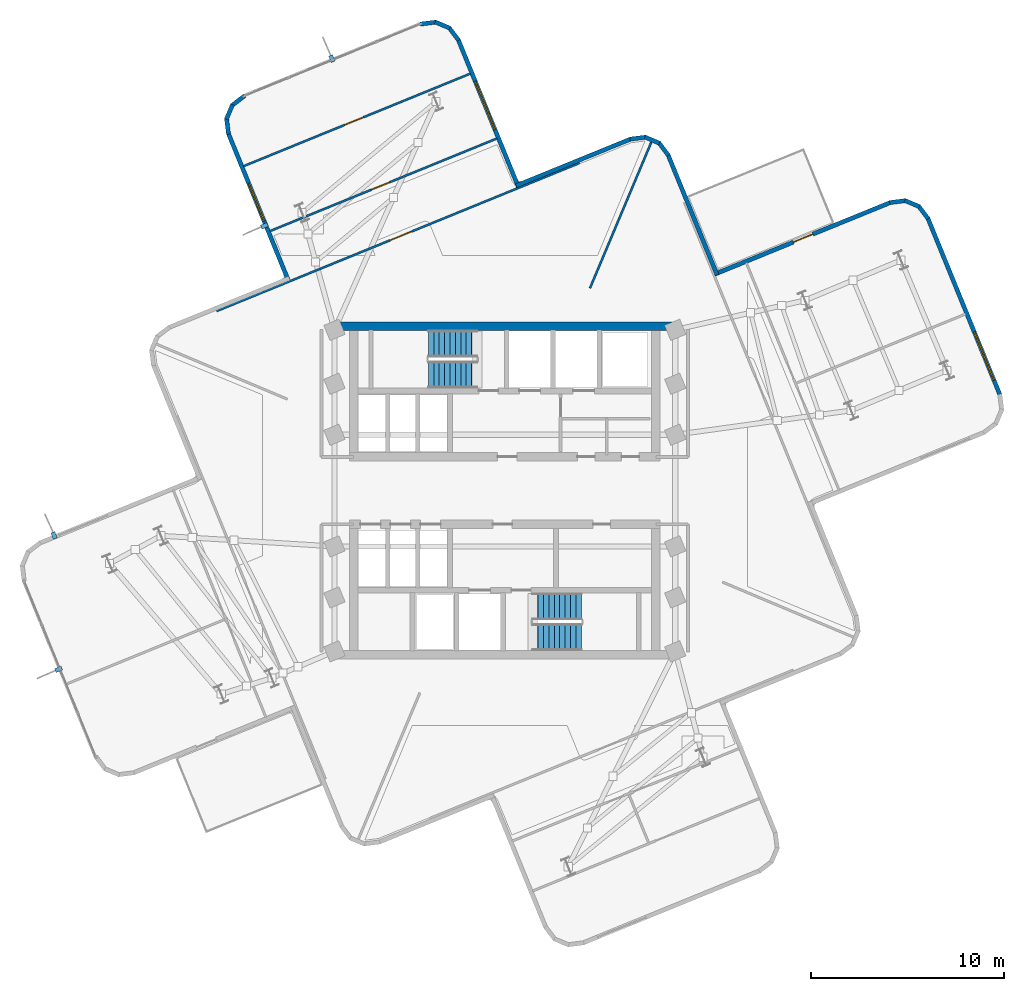
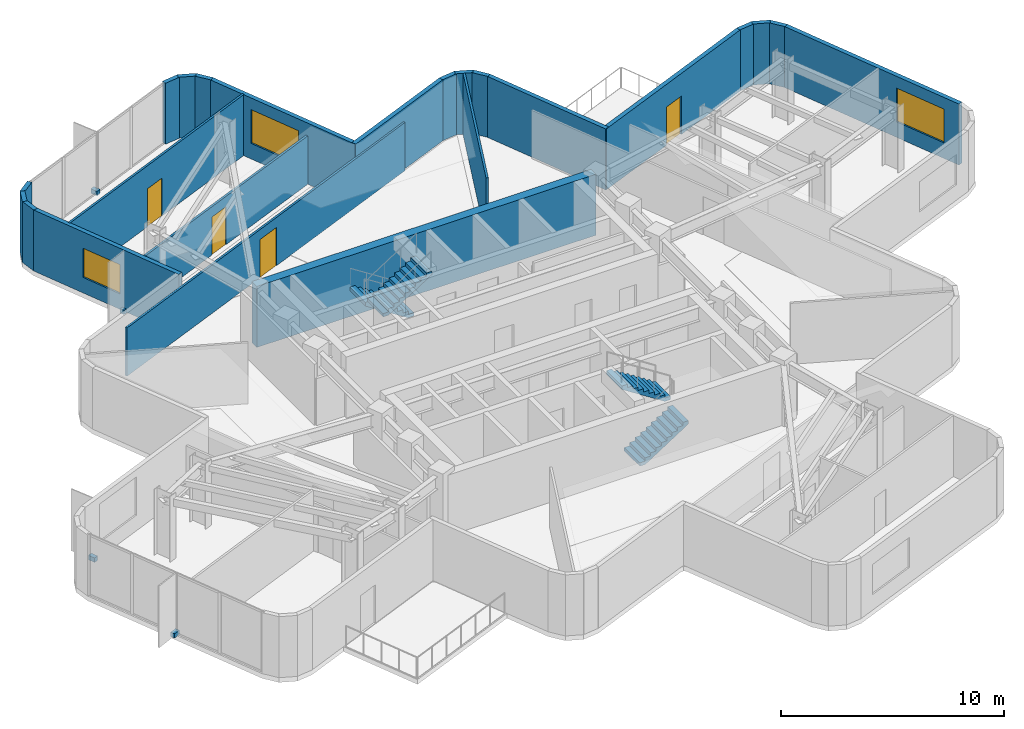
# One storey, part 8 of 11: 23 walls, 4 discrete accessories, 4 doors, 4 stair flights, 3 windows, 7 openings, 2 elements without a shape of their own.
"""IFC4 building model written with IfcOpenShell, lengths in metres."""

import ifcopenshell
import ifcopenshell.guid

model = None  # the IFC model being written
_history = None  # IfcOwnerHistory: only IFC2X3 demands one
_inside = {}  # id of a spatial element -> (the spatial element, [elements in it])
_under = {}  # id of a project, library or spatial element -> (it, [spatial elements below it])
_declared = {}  # id of a project -> (the project, [libraries it declares])
_typed = {}  # id of a type object -> (the type object, [elements of that type])
_made_of = {}  # id of a material, layer set ... -> (it, [elements and type objects made of it])


def new_model(schema):
    """Start an empty IFC model of exactly this schema.

    Asked for "IFC4X3", IfcOpenShell would pick the latest addendum, in which some entities
    have other attributes; the version numbers below select the first issue.
    IFC2X3 requires an IfcOwnerHistory on every rooted entity: one is made here for all.
    """
    global model, _history
    if schema == "IFC4X3":
        model = ifcopenshell.file(schema_version=(4, 3, 0, 0))
    else:
        model = ifcopenshell.file(schema=schema)
    _inside.clear()
    _under.clear()
    _declared.clear()
    _typed.clear()
    _made_of.clear()
    _history = None
    if model.schema == "IFC2X3":
        org = make("IfcOrganization", Name="unknown")
        user = make(
            "IfcPersonAndOrganization",
            ThePerson=make("IfcPerson", FamilyName="unknown"),
            TheOrganization=org,
        )
        app = make(
            "IfcApplication",
            ApplicationDeveloper=org,
            Version="unknown",
            ApplicationFullName="unknown",
            ApplicationIdentifier="unknown",
        )
        _history = make(
            "IfcOwnerHistory",
            OwningUser=user,
            OwningApplication=app,
            ChangeAction="ADDED",
            CreationDate=0,
        )
    return model


def make(cls, **values):
    """One entity of the class cls with the attributes given. An attribute that is None is left unset."""
    return model.create_entity(
        cls, **{name: value for name, value in values.items() if value is not None}
    )


def rooted(cls, **values):
    """An entity with a GlobalId (a new one), such as an element, a storey or a relation."""
    return make(cls, GlobalId=ifcopenshell.guid.new(), OwnerHistory=_history, **values)


def si_unit(unit_type, name, prefix=None):
    """IfcSIUnit, for example si_unit("LENGTHUNIT", "METRE", prefix="MILLI")."""
    return make("IfcSIUnit", UnitType=unit_type, Prefix=prefix, Name=name)


def assignment(units):
    """IfcUnitAssignment: the units of a project."""
    return None if units is None else make("IfcUnitAssignment", Units=units)


def point(xyz):
    """IfcCartesianPoint."""
    return None if xyz is None else make("IfcCartesianPoint", Coordinates=xyz)


def direction(xyz):
    """IfcDirection."""
    return None if xyz is None else make("IfcDirection", DirectionRatios=xyz)


def frame(location, z_axis=None, x_axis=None):
    """IfcAxis2Placement3D, a coordinate frame: its origin and axes. An axis left out is left unset."""
    return make(
        "IfcAxis2Placement3D",
        Location=point(location),
        Axis=direction(z_axis),
        RefDirection=direction(x_axis),
    )


def frame_2d(location, x_axis=None):
    """IfcAxis2Placement2D, a coordinate frame in the plane: its origin and x axis."""
    return make(
        "IfcAxis2Placement2D", Location=point(location), RefDirection=direction(x_axis)
    )


def origin():
    """The frame at (0, 0, 0) with its axes left unset."""
    return frame((0.0, 0.0, 0.0))


def origin_2d():
    """The frame at (0, 0) in the plane with its x axis left unset."""
    return frame_2d((0.0, 0.0))


def place(relative_to, where):
    """IfcLocalPlacement: puts the frame where relative to a parent placement (None: the world)."""
    return make(
        "IfcLocalPlacement", PlacementRelTo=relative_to, RelativePlacement=where
    )


def context(
    kind, dimensions, precision=None, world=None, true_north=None, identifier=None
):
    """IfcGeometricRepresentationContext, for example the 3D "Model" context."""
    return make(
        "IfcGeometricRepresentationContext",
        ContextIdentifier=identifier,
        ContextType=kind,
        CoordinateSpaceDimension=dimensions,
        Precision=precision,
        WorldCoordinateSystem=world,
        TrueNorth=true_north,
    )


def subcontext(parent, identifier, kind, view, scale=None):
    """IfcGeometricRepresentationSubContext, for example "Body" below "Model"."""
    return make(
        "IfcGeometricRepresentationSubContext",
        ContextIdentifier=identifier,
        ContextType=kind,
        ParentContext=parent,
        TargetScale=scale,
        TargetView=view,
    )


def project(units=None, contexts=None):
    """IfcProject with its units and contexts."""
    return rooted(
        "IfcProject",
        Name="project",
        RepresentationContexts=contexts,
        UnitsInContext=assignment(units),
    )


def spatial(cls, under=None, at=None, **own):
    """A site, building, storey or space (cls), placed at a placement, below another one or the project."""
    s = rooted(cls, ObjectPlacement=at, **own)
    if under is not None:
        _under.setdefault(under.id(), (under, []))[1].append(s)
    return s


def polyline(points):
    """IfcPolyline through the points."""
    return make("IfcPolyline", Points=[point(p) for p in points])


def profile(cls, at=None, kind="AREA", **sizes):
    """A parametric profile (cls). Its sizes go by their IFC names, for example OverallWidth=200.0."""
    return make(cls, ProfileType=kind, Position=at, **sizes)


def rectangle(**sizes):
    """IfcRectangleProfileDef."""
    return profile("IfcRectangleProfileDef", **sizes)


def outline(outer, holes=None, kind="AREA"):
    """IfcArbitraryClosedProfileDef: a profile drawn as a closed curve; with holes, ...WithVoids."""
    if holes is None:
        return make("IfcArbitraryClosedProfileDef", ProfileType=kind, OuterCurve=outer)
    return make(
        "IfcArbitraryProfileDefWithVoids",
        ProfileType=kind,
        OuterCurve=outer,
        InnerCurves=holes,
    )


def extrude(swept, where, along, depth):
    """IfcExtrudedAreaSolid: the profile swept, set in the frame where, extruded along a direction by depth."""
    return make(
        "IfcExtrudedAreaSolid",
        SweptArea=swept,
        Position=where,
        ExtrudedDirection=direction(along),
        Depth=depth,
    )


def shape(context_of_items, identifier, shape_type, items):
    """IfcShapeRepresentation: the items that make up one representation, for example the "Body"."""
    return make(
        "IfcShapeRepresentation",
        ContextOfItems=context_of_items,
        RepresentationIdentifier=identifier,
        RepresentationType=shape_type,
        Items=items,
    )


def material(Name=None, Category=None):
    """IfcMaterial."""
    return make("IfcMaterial", Name=Name, Category=Category)


def layer(
    of_material, thickness, ventilated=None, Name=None, Category=None, Priority=None
):
    """IfcMaterialLayer: one layer of a wall or slab, of a material (None: an air gap)."""
    return make(
        "IfcMaterialLayer",
        Material=of_material,
        LayerThickness=thickness,
        IsVentilated=ventilated,
        Name=Name,
        Category=Category,
        Priority=Priority,
    )


def layer_set(layers, Name=None):
    """IfcMaterialLayerSet."""
    return make("IfcMaterialLayerSet", MaterialLayers=layers, LayerSetName=Name)


def made_of(thing, what):
    """Note that an element or type object is made of a material, layer set ...; save() writes the relation."""
    if what is not None:
        _made_of.setdefault(what.id(), (what, []))[1].append(thing)
    return thing


def type_object(cls, material=None, **own):
    """A type object (cls), such as IfcWallType, which elements share."""
    return made_of(rooted(cls, **own), material)


def element(
    cls,
    number,
    at=None,
    inside=None,
    cuts=None,
    type_object=None,
    material=None,
    context=None,
    identifier="Body",
    shape_type=None,
    held_by="IfcProductDefinitionShape",
    body=None,
    shapes=None,
    **own,
):
    """One element of the class cls, such as IfcWall. Its Tag is "e" and its number.

    at: its placement. inside: the storey or other place that contains it. cuts: it is an
    opening in that element (IfcRelVoidsElement). A single representation is given by context,
    identifier, shape_type and body (its items); several are given by shapes. held_by: the class
    of the entity that holds the representations. save() writes the other relations.
    """
    e = rooted(cls, Tag="e%d" % number, ObjectPlacement=at, **own)
    if body is not None:
        shapes = [shape(context, identifier, shape_type, body)]
    if shapes is not None:
        e.Representation = make(held_by, Representations=shapes)
    if inside is not None:
        _inside.setdefault(inside.id(), (inside, []))[1].append(e)
    if cuts is not None:
        rooted(
            "IfcRelVoidsElement", RelatingBuildingElement=cuts, RelatedOpeningElement=e
        )
    if type_object is not None:
        _typed.setdefault(type_object.id(), (type_object, []))[1].append(e)
    return made_of(e, material)


def fill(opening, filler):
    """IfcRelFillsElement: the door or window that sits in an opening."""
    return rooted(
        "IfcRelFillsElement",
        RelatingOpeningElement=opening,
        RelatedBuildingElement=filler,
    )


def aggregate(whole, parts):
    """IfcRelAggregates: a whole, such as a stair, and the parts it consists of."""
    return rooted("IfcRelAggregates", RelatingObject=whole, RelatedObjects=parts)


def save(model, path):
    """Write the relations noted so far, then the file.

    IfcRelAggregates (storeys below a building ...), IfcRelContainedInSpatialStructure (elements
    in a storey), IfcRelDefinesByType, IfcRelAssociatesMaterial and IfcRelDeclares: one each for
    every whole, place, type object, material and project.
    """
    for whole, parts in _under.values():
        aggregate(whole, parts)
    for where, things in _inside.values():
        rooted(
            "IfcRelContainedInSpatialStructure",
            RelatedElements=things,
            RelatingStructure=where,
        )
    for kind, things in _typed.values():
        rooted("IfcRelDefinesByType", RelatedObjects=things, RelatingType=kind)
    for what, things in _made_of.values():
        rooted("IfcRelAssociatesMaterial", RelatedObjects=things, RelatingMaterial=what)
    for by, libraries in _declared.values():
        rooted("IfcRelDeclares", RelatingContext=by, RelatedDefinitions=libraries)
    model.write(path)


model = new_model("IFC4")

# Units and contexts
model_context = context("Model", 3, precision=1e-05, world=origin(), true_north=direction((0.0, 1.0)))
body_context = subcontext(model_context, "Body", "Model", "MODEL_VIEW")
ifc_project = project(units=[si_unit("LENGTHUNIT", "METRE"), si_unit("AREAUNIT", "SQUARE_METRE"), si_unit("VOLUMEUNIT", "CUBIC_METRE"), si_unit("PLANEANGLEUNIT", "RADIAN"), si_unit("MASSUNIT", "GRAM", prefix="KILO")], contexts=[model_context])

# Site, building, storey
site_placement = place(None, origin())
site = spatial("IfcSite", under=ifc_project, at=site_placement, CompositionType="ELEMENT")
building_placement = place(site_placement, origin())
building = spatial("IfcBuilding", under=site, at=building_placement, Name="Solmarez Civic Tower", CompositionType="ELEMENT")
storey_placement = place(building_placement, frame((0.0, 0.0, 177.47998046875)))
storey = spatial("IfcBuildingStorey", under=building, at=storey_placement, Name="L47", CompositionType="ELEMENT", Elevation=177.47998046875)

# Wall
ifc_material_1 = material(Name="Concrete C50/60", Category="concrete")
ifc_layer_1 = layer(ifc_material_1, 0.449951171875)
ifc_layer_set_1 = layer_set([ifc_layer_1], Name="Concrete C50/60")
wall_type_1 = type_object("IfcWallType", Name="WALL-CORE-450", PredefinedType="SHEAR", material=ifc_layer_set_1)
wall_1_placement = place(storey_placement, frame((-8.780029296875, 8.534912109375, 0.0), z_axis=(0.0, 0.0, 1.0), x_axis=(1.0, 0.0, 0.0)))
element("IfcWall", 1, at=wall_1_placement, inside=storey, type_object=wall_type_1, Name="L47 Split-Core Structural Wall NCW-N-L47", PredefinedType="SHEAR", context=body_context, shape_type="SweptSolid", body=[
    extrude(rectangle(XDim=17.56005859375, YDim=0.449951171875, at=frame_2d((8.780029296875, 0.0))), origin(), (0.0, 0.0, 1.0), 3.340087890625),
])

# Wall, opening, window
ifc_material_2 = material(Name="Precast concrete C40/50", Category="concrete")
ifc_layer_2 = layer(ifc_material_2, 0.219970703125)
ifc_layer_set_2 = layer_set([ifc_layer_2], Name="Precast concrete C40/50")
wall_type_2 = type_object("IfcWallType", Name="WALL-EXT-220", PredefinedType="SOLIDWALL", material=ifc_layer_set_2)
wall_2_placement = place(storey_placement, frame((-11.24609375, 10.912109375, 0.0), z_axis=(0.0, 0.0, 1.0), x_axis=(-0.37779924707, 0.92588753578, 0.0)))
wall_2 = element("IfcWall", 2, at=wall_2_placement, inside=storey, type_object=wall_type_2, Name="L47 Exterior Precast Wall 20", PredefinedType="SOLIDWALL", context=body_context, shape_type="SweptSolid", body=[
    extrude(rectangle(XDim=8.258056640625, YDim=0.219970703125, at=frame_2d((4.12890625, 0.0))), origin(), (0.0, 0.0, 1.0), 3.340087890625),
])
opening_1_placement = place(wall_2_placement, frame((3.35009765625, 0.0, 0.85009765625)))
opening_1 = element("IfcOpeningElement", 3, at=opening_1_placement, cuts=wall_2, Name="Opening W-11", PredefinedType="OPENING", context=body_context, shape_type="SweptSolid", body=[
    extrude(rectangle(XDim=2.10009765625, YDim=1.60009765625, at=frame_2d((1.050048828125, 0.800048828125))), frame((0.0, 0.119873046875, 0.0), z_axis=(0.0, -1.0, 0.0), x_axis=(1.0, 0.0, 0.0)), (0.0, 0.0, 1.0), 0.239990234375),
])
ifc_material_3 = material(Name="Solar Control Bronze-Tinted Insulating Glass", Category="glass")
window_type_1 = type_object("IfcWindowType", Name="WIN-2100X1600", PartitioningType="SINGLE_PANEL", PredefinedType="WINDOW", material=ifc_material_3)
window_1_placement = place(opening_1_placement, origin())
window_1 = element("IfcWindow", 4, at=window_1_placement, inside=storey, type_object=window_type_1, Name="L47 Exterior Facade Window 20", OverallHeight=1.60009765625, OverallWidth=2.10009765625, PartitioningType="SINGLE_PANEL", PredefinedType="WINDOW", context=body_context, shape_type="SweptSolid", body=[
    extrude(rectangle(XDim=2.10009765625, YDim=1.60009765625, at=frame_2d((1.050048828125, 0.800048828125))), frame((0.0, 0.030029296875, 0.0), z_axis=(0.0, -1.0, 0.0), x_axis=(1.0, 0.0, 0.0)), (0.0, 0.0, 1.0), 0.06005859375),
])
fill(opening_1, window_1)

# Walls
wall_3_placement = place(storey_placement, frame((-14.35400390625, 18.510009765625, 0.0), z_axis=(0.0, 0.0, 1.0), x_axis=(-0.125798873345, 0.992055766308, 0.0)))
element("IfcWall", 5, at=wall_3_placement, inside=storey, type_object=wall_type_2, Name="L47 Exterior Precast Wall 21", PredefinedType="SOLIDWALL", context=body_context, shape_type="SweptSolid", body=[
    extrude(rectangle(XDim=0.83447265625, YDim=0.219970703125, at=frame_2d((0.417236328125, 0.0))), origin(), (0.0, 0.0, 1.0), 3.340087890625),
])
wall_4_placement = place(storey_placement, frame((-14.466064453125, 19.2900390625, 0.0), z_axis=(0.0, 0.0, 1.0), x_axis=(0.388336782412, 0.92151752204, 0.0)))
element("IfcWall", 6, at=wall_4_placement, inside=storey, type_object=wall_type_2, Name="L47 Exterior Precast Wall 22", PredefinedType="SOLIDWALL", context=body_context, shape_type="SweptSolid", body=[
    extrude(rectangle(XDim=0.819091796875, YDim=0.219970703125, at=frame_2d((0.40966796875, 0.0))), origin(), (0.0, 0.0, 1.0), 3.340087890625),
])
for number, where, z_axis, x_axis, name in (
    (7, (-14.177978515625, 20.007080078125, 0.0), (0.0, 0.0, 1.0), (0.797040931846, 0.603925287566, 0.0), "L47 Exterior Precast Wall 23"),
    (8, (-4.39990234375, 24.22998046875, 0.0), (0.0, 0.0, 1.0), (0.992055766308, 0.125798873345, 0.0), "L47 Exterior Precast Wall 25"),
):
    element("IfcWall", number, at=place(storey_placement, frame(where, z_axis=z_axis, x_axis=x_axis)), inside=storey, type_object=wall_type_2, Name=name, PredefinedType="SOLIDWALL", context=body_context, shape_type="SweptSolid", body=[
        extrude(rectangle(XDim=0.83447265625, YDim=0.219970703125, at=frame_2d((0.417236328125, 0.0))), origin(), (0.0, 0.0, 1.0), 3.340087890625),
    ])
wall_5_placement = place(storey_placement, frame((-3.6201171875, 24.342041015625, 0.0), z_axis=(0.0, 0.0, 1.0), x_axis=(0.921135688986, -0.389241624799, 0.0)))
element("IfcWall", 9, at=wall_5_placement, inside=storey, type_object=wall_type_2, Name="L47 Exterior Precast Wall 26", PredefinedType="SOLIDWALL", context=body_context, shape_type="SweptSolid", body=[
    extrude(rectangle(XDim=0.81982421875, YDim=0.219970703125, at=frame_2d((0.409912109375, 0.0))), origin(), (0.0, 0.0, 1.0), 3.340087890625),
])
wall_6_placement = place(storey_placement, frame((-2.903076171875, 24.052978515625, 0.0), z_axis=(0.0, 0.0, 1.0), x_axis=(0.604674842585, -0.79647243188, 0.0)))
element("IfcWall", 10, at=wall_6_placement, inside=storey, type_object=wall_type_2, Name="L47 Exterior Precast Wall 27", PredefinedType="SOLIDWALL", context=body_context, shape_type="SweptSolid", body=[
    extrude(rectangle(XDim=0.833740234375, YDim=0.219970703125, at=frame_2d((0.4169921875, 0.0))), origin(), (0.0, 0.0, 1.0), 3.340087890625),
])

# Wall, opening, window
wall_7_placement = place(storey_placement, frame((-2.423095703125, 23.431884765625, 0.0), z_axis=(0.0, 0.0, 1.0), x_axis=(0.377824590968, -0.925877194049, 0.0)))
wall_7 = element("IfcWall", 11, at=wall_7_placement, inside=storey, type_object=wall_type_2, Name="L47 Exterior Precast Wall 28", PredefinedType="SOLIDWALL", context=body_context, shape_type="SweptSolid", body=[
    extrude(rectangle(XDim=8.258056640625, YDim=0.219970703125, at=frame_2d((4.12890625, 0.0))), origin(), (0.0, 0.0, 1.0), 3.340087890625),
])
opening_2_placement = place(wall_7_placement, frame((2.35009765625, 0.0, 0.85009765625)))
opening_2 = element("IfcOpeningElement", 12, at=opening_2_placement, cuts=wall_7, Name="Opening W-05", PredefinedType="OPENING", context=body_context, shape_type="SweptSolid", body=[
    extrude(rectangle(XDim=2.699951171875, YDim=1.85009765625, at=frame_2d((1.35009765625, 0.925048828125))), frame((0.0, 0.119873046875, 0.0), z_axis=(0.0, -1.0, 0.0), x_axis=(1.0, 0.0, 0.0)), (0.0, 0.0, 1.0), 0.239990234375),
])
window_type_2 = type_object("IfcWindowType", Name="WIN-2700X1850", PartitioningType="SINGLE_PANEL", PredefinedType="WINDOW", material=ifc_material_3)
window_2_placement = place(opening_2_placement, origin())
window_2 = element("IfcWindow", 13, at=window_2_placement, inside=storey, type_object=window_type_2, Name="L47 Exterior Facade Window 28", OverallHeight=1.85009765625, OverallWidth=2.699951171875, PartitioningType="SINGLE_PANEL", PredefinedType="WINDOW", context=body_context, shape_type="SweptSolid", body=[
    extrude(rectangle(XDim=2.699951171875, YDim=1.85009765625, at=frame_2d((1.35009765625, 0.925048828125))), frame((0.0, 0.030029296875, 0.0), z_axis=(0.0, -1.0, 0.0), x_axis=(1.0, 0.0, 0.0)), (0.0, 0.0, 1.0), 0.06005859375),
])
fill(opening_2, window_2)

# Walls
wall_8_placement = place(storey_placement, frame((0.5830078125, 15.833984375, 0.0), z_axis=(0.0, 0.0, 1.0), x_axis=(0.925896916469, 0.377776256629, 0.0)))
element("IfcWall", 14, at=wall_8_placement, inside=storey, type_object=wall_type_2, Name="L47 Exterior Precast Wall 31", PredefinedType="SOLIDWALL", context=body_context, shape_type="SweptSolid", body=[
    extrude(rectangle(XDim=6.43798828125, YDim=0.219970703125, at=frame_2d((3.218994140625, 0.0))), origin(), (0.0, 0.0, 1.0), 3.340087890625),
])
wall_9_placement = place(storey_placement, frame((6.49609375, 18.25390625, 0.0), z_axis=(0.0, 0.0, 1.0), x_axis=(0.992201162123, 0.124646916858, 0.0)))
element("IfcWall", 15, at=wall_9_placement, inside=storey, type_object=wall_type_2, Name="L47 Exterior Precast Wall 32", PredefinedType="SOLIDWALL", context=body_context, shape_type="SweptSolid", body=[
    extrude(rectangle(XDim=0.83447265625, YDim=0.219970703125, at=frame_2d((0.417236328125, 0.0))), origin(), (0.0, 0.0, 1.0), 3.340087890625),
])
wall_10_placement = place(storey_placement, frame((7.27587890625, 18.364990234375, 0.0), z_axis=(0.0, 0.0, 1.0), x_axis=(0.9216690265, -0.387977068381, 0.0)))
element("IfcWall", 16, at=wall_10_placement, inside=storey, type_object=wall_type_2, Name="L47 Exterior Precast Wall 33", PredefinedType="SOLIDWALL", context=body_context, shape_type="SweptSolid", body=[
    extrude(rectangle(XDim=0.8193359375, YDim=0.219970703125, at=frame_2d((0.40966796875, 0.0))), origin(), (0.0, 0.0, 1.0), 3.340087890625),
])
wall_11_placement = place(storey_placement, frame((7.992919921875, 18.076904296875, 0.0), z_axis=(0.0, 0.0, 1.0), x_axis=(0.604815890473, -0.796365329878, 0.0)))
element("IfcWall", 17, at=wall_11_placement, inside=storey, type_object=wall_type_2, Name="L47 Exterior Precast Wall 34", PredefinedType="SOLIDWALL", context=body_context, shape_type="SweptSolid", body=[
    extrude(rectangle(XDim=0.83349609375, YDim=0.219970703125, at=frame_2d((0.416748046875, 0.0))), origin(), (0.0, 0.0, 1.0), 3.340087890625),
])
wall_12_placement = place(storey_placement, frame((8.472900390625, 17.4560546875, 0.0), z_axis=(0.0, 0.0, 1.0), x_axis=(0.377728271133, -0.925916493636, 0.0)))
element("IfcWall", 18, at=wall_12_placement, inside=storey, type_object=wall_type_2, Name="L47 Exterior Precast Wall 35", PredefinedType="SOLIDWALL", context=body_context, shape_type="SweptSolid", body=[
    extrude(rectangle(XDim=6.7587890625, YDim=0.219970703125, at=frame_2d((3.37939453125, 0.0))), origin(), (0.0, 0.0, 1.0), 3.340087890625),
])

# Wall, opening, door
wall_13_placement = place(storey_placement, frame((10.912109375, 11.24609375, 0.0), z_axis=(0.0, 0.0, 1.0), x_axis=(0.925863027914, 0.377859303897, 0.0)))
wall_13 = element("IfcWall", 19, at=wall_13_placement, inside=storey, type_object=wall_type_2, Name="L47 Exterior Precast Wall 38", PredefinedType="SOLIDWALL", context=body_context, shape_type="SweptSolid", body=[
    extrude(rectangle(XDim=9.857666015625, YDim=0.219970703125, at=frame_2d((4.9287109375, 0.0))), origin(), (0.0, 0.0, 1.0), 3.340087890625),
])
opening_3_placement = place(wall_13_placement, frame((4.39990234375, 0.0, 0.0)))
opening_3 = element("IfcOpeningElement", 20, at=opening_3_placement, cuts=wall_13, Name="Opening D-06", PredefinedType="OPENING", context=body_context, shape_type="SweptSolid", body=[
    extrude(rectangle(XDim=1.10009765625, YDim=2.10009765625, at=frame_2d((0.550048828125, 1.050048828125))), frame((0.0, 0.119873046875, 0.0), z_axis=(0.0, -1.0, 0.0), x_axis=(1.0, 0.0, 0.0)), (0.0, 0.0, 1.0), 0.239990234375),
])
ifc_material_4 = material(Name="Bronze Anodised Aluminium Glazed Terrace Door", Category="aluminium")
door_type_1 = type_object("IfcDoorType", Name="DOOR-TERR-1100", OperationType="NOTDEFINED", PredefinedType="DOOR", material=ifc_material_4)
door_1_placement = place(opening_3_placement, origin())
door_1 = element("IfcDoor", 21, at=door_1_placement, inside=storey, type_object=door_type_1, Name="L47 Outdoor Terrace Glazed Door", OperationType="SINGLE_SWING_RIGHT", OverallHeight=2.10009765625, OverallWidth=1.10009765625, PredefinedType="DOOR", context=body_context, shape_type="SweptSolid", body=[
    extrude(rectangle(XDim=1.10009765625, YDim=2.10009765625, at=frame_2d((0.550048828125, 1.050048828125))), frame((0.0, 0.02490234375, 0.0), z_axis=(0.0, -1.0, 0.0), x_axis=(1.0, 0.0, 0.0)), (0.0, 0.0, 1.0), 0.050048828125),
])
fill(opening_3, door_1)

# Walls
wall_14_placement = place(storey_placement, frame((19.990966796875, 14.958984375, 0.0), z_axis=(0.0, 0.0, 1.0), x_axis=(0.992205706202, 0.124610740225, 0.0)))
element("IfcWall", 22, at=wall_14_placement, inside=storey, type_object=wall_type_2, Name="L47 Exterior Precast Wall 39", PredefinedType="SOLIDWALL", context=body_context, shape_type="SweptSolid", body=[
    extrude(rectangle(XDim=0.834716796875, YDim=0.219970703125, at=frame_2d((0.41748046875, 0.0))), origin(), (0.0, 0.0, 1.0), 3.340087890625),
])
wall_15_placement = place(storey_placement, frame((20.77099609375, 15.070068359375, 0.0), z_axis=(0.0, 0.0, 1.0), x_axis=(0.92151752204, -0.388336782412, 0.0)))
element("IfcWall", 23, at=wall_15_placement, inside=storey, type_object=wall_type_2, Name="L47 Exterior Precast Wall 40", PredefinedType="SOLIDWALL", context=body_context, shape_type="SweptSolid", body=[
    extrude(rectangle(XDim=0.819091796875, YDim=0.219970703125, at=frame_2d((0.40966796875, 0.0))), origin(), (0.0, 0.0, 1.0), 3.340087890625),
])
wall_16_placement = place(storey_placement, frame((21.488037109375, 14.781982421875, 0.0), z_axis=(0.0, 0.0, 1.0), x_axis=(0.604489037034, -0.796613459657, 0.0)))
element("IfcWall", 24, at=wall_16_placement, inside=storey, type_object=wall_type_2, Name="L47 Exterior Precast Wall 41", PredefinedType="SOLIDWALL", context=body_context, shape_type="SweptSolid", body=[
    extrude(rectangle(XDim=0.83349609375, YDim=0.219970703125, at=frame_2d((0.416748046875, 0.0))), origin(), (0.0, 0.0, 1.0), 3.340087890625),
])

# Wall, opening, window
wall_17_placement = place(storey_placement, frame((21.968017578125, 14.160888671875, 0.0), z_axis=(0.0, 0.0, 1.0), x_axis=(0.377847588582, -0.925867809032, 0.0)))
wall_17 = element("IfcWall", 25, at=wall_17_placement, inside=storey, type_object=wall_type_2, Name="L47 Exterior Precast Wall 42", PredefinedType="SOLIDWALL", context=body_context, shape_type="SweptSolid", body=[
    extrude(rectangle(XDim=9.940673828125, YDim=0.219970703125, at=frame_2d((4.97021484375, 0.0))), origin(), (0.0, 0.0, 1.0), 3.340087890625),
])
opening_4_placement = place(wall_17_placement, frame((6.404052734375, 0.0, 0.85009765625)))
opening_4 = element("IfcOpeningElement", 26, at=opening_4_placement, cuts=wall_17, Name="Opening W-05", PredefinedType="OPENING", context=body_context, shape_type="SweptSolid", body=[
    extrude(rectangle(XDim=2.699951171875, YDim=1.85009765625, at=frame_2d((1.35009765625, 0.925048828125))), frame((0.0, 0.119873046875, 0.0), z_axis=(0.0, -1.0, 0.0), x_axis=(1.0, 0.0, 0.0)), (0.0, 0.0, 1.0), 0.239990234375),
])
window_3_placement = place(opening_4_placement, origin())
window_3 = element("IfcWindow", 27, at=window_3_placement, inside=storey, type_object=window_type_2, Name="L47 Exterior Facade Window 42", OverallHeight=1.85009765625, OverallWidth=2.699951171875, PartitioningType="SINGLE_PANEL", PredefinedType="WINDOW", context=body_context, shape_type="SweptSolid", body=[
    extrude(rectangle(XDim=2.699951171875, YDim=1.85009765625, at=frame_2d((1.35009765625, 0.925048828125))), frame((0.0, 0.030029296875, 0.0), z_axis=(0.0, -1.0, 0.0), x_axis=(1.0, 0.0, 0.0)), (0.0, 0.0, 1.0), 0.06005859375),
])
fill(opening_4, window_3)

# Wall
ifc_material_5 = material(Name="Gypsum Board Acoustic Steel-Stud Partition", Category="steel")
ifc_layer_3 = layer(ifc_material_5, 0.110107421875)
ifc_layer_set_3 = layer_set([ifc_layer_3], Name="Gypsum Board Acoustic Steel-Stud Partition")
wall_type_3 = type_object("IfcWallType", Name="WALL-INT-PART-110", PredefinedType="PARTITIONING", material=ifc_layer_set_3)
wall_18_placement = place(storey_placement, frame((4.41796875, 10.509033203125, 0.0), z_axis=(0.0, 0.0, 1.0), x_axis=(0.387471247296, 0.921881788799, 0.0)))
element("IfcWall", 28, at=wall_18_placement, inside=storey, type_object=wall_type_3, Name="L47 Interior Partition PT-L47-QDIV-1", PredefinedType="PARTITIONING", context=body_context, shape_type="SweptSolid", body=[
    extrude(rectangle(XDim=8.2744140625, YDim=0.110107421875, at=frame_2d((4.13720703125, 0.0))), origin(), (0.0, 0.0, 1.0), 3.340087890625),
])

# Wall, opening, door
wall_19_placement = place(storey_placement, frame((-14.972900390625, 9.322998046875, 0.0), z_axis=(0.0, 0.0, 1.0), x_axis=(0.92584978414, 0.377891753295, 0.0)))
wall_19 = element("IfcWall", 29, at=wall_19_placement, inside=storey, type_object=wall_type_3, Name="L47 Interior Partition PT-L47-N-ENT", PredefinedType="PARTITIONING", context=body_context, shape_type="SweptSolid", body=[
    extrude(rectangle(XDim=20.360595703125, YDim=0.110107421875, at=frame_2d((10.18017578125, 0.0))), origin(), (0.0, 0.0, 1.0), 2.64404296875),
])
opening_5_placement = place(wall_19_placement, frame((9.740966796875, 0.0, 0.0)))
opening_5 = element("IfcOpeningElement", 30, at=opening_5_placement, cuts=wall_19, Name="Opening D-11", PredefinedType="OPENING", context=body_context, shape_type="SweptSolid", body=[
    extrude(rectangle(XDim=1.199951171875, YDim=2.10009765625, at=frame_2d((0.60009765625, 1.050048828125))), frame((0.0, 0.06494140625, 0.0), z_axis=(0.0, -1.0, 0.0), x_axis=(1.0, 0.0, 0.0)), (0.0, 0.0, 1.0), 0.130126953125),
])
ifc_material_6 = material(Name="Glazed-Vision Acoustic Chamber Door", Category="wood")
door_type_2 = type_object("IfcDoorType", Name="DOOR-INT-1200", OperationType="NOTDEFINED", PredefinedType="DOOR", material=ifc_material_6)
door_2_placement = place(opening_5_placement, origin())
door_2 = element("IfcDoor", 31, at=door_2_placement, inside=storey, type_object=door_type_2, Name="L47 Citizen Legal Clinic First North Door", OperationType="SINGLE_SWING_LEFT", OverallHeight=2.10009765625, OverallWidth=1.199951171875, PredefinedType="DOOR", context=body_context, shape_type="SweptSolid", body=[
    extrude(rectangle(XDim=1.199951171875, YDim=2.10009765625, at=frame_2d((0.60009765625, 1.050048828125))), frame((0.0, 0.02490234375, 0.0), z_axis=(0.0, -1.0, 0.0), x_axis=(1.0, 0.0, 0.0)), (0.0, 0.0, 1.0), 0.050048828125),
])
fill(opening_5, door_2)

wall_20_placement = place(storey_placement, frame((-12.2119140625, 13.47509765625, 0.0), z_axis=(0.0, 0.0, 1.0), x_axis=(0.925887289182, 0.377799851417, 0.0)))
wall_20 = element("IfcWall", 32, at=wall_20_placement, inside=storey, type_object=wall_type_3, Name="L47 Interior Partition PT-L47-N-SC1", PredefinedType="PARTITIONING", context=body_context, shape_type="SweptSolid", body=[
    extrude(rectangle(XDim=12.749755859375, YDim=0.110107421875, at=frame_2d((6.375, 0.0))), origin(), (0.0, 0.0, 1.0), 2.64404296875),
])
opening_6_placement = place(wall_20_placement, frame((5.68994140625, 0.0, 0.0)))
opening_6 = element("IfcOpeningElement", 33, at=opening_6_placement, cuts=wall_20, Name="Opening D-13", PredefinedType="OPENING", context=body_context, shape_type="SweptSolid", body=[
    extrude(rectangle(XDim=1.050048828125, YDim=2.080078125, at=frame_2d((0.52490234375, 1.0400390625))), frame((0.0, 0.06494140625, 0.0), z_axis=(0.0, -1.0, 0.0), x_axis=(1.0, 0.0, 0.0)), (0.0, 0.0, 1.0), 0.130126953125),
])
ifc_material_7 = material(Name="Timber Directorate Office Door", Category="wood")
door_type_3 = type_object("IfcDoorType", Name="DOOR-INT-1050", OperationType="NOTDEFINED", PredefinedType="DOOR", material=ifc_material_7)
door_3_placement = place(opening_6_placement, origin())
door_3 = element("IfcDoor", 34, at=door_3_placement, inside=storey, type_object=door_type_3, Name="L47 Public Reading Room North Door", OperationType="SINGLE_SWING_LEFT", OverallHeight=2.080078125, OverallWidth=1.050048828125, PredefinedType="DOOR", context=body_context, shape_type="SweptSolid", body=[
    extrude(rectangle(XDim=1.050048828125, YDim=2.080078125, at=frame_2d((0.52490234375, 1.0400390625))), frame((0.0, 0.02490234375, 0.0), z_axis=(0.0, -1.0, 0.0), x_axis=(1.0, 0.0, 0.0)), (0.0, 0.0, 1.0), 0.050048828125),
])
fill(opening_6, door_3)

wall_21_placement = place(storey_placement, frame((-13.5869140625, 16.844970703125, 0.0), z_axis=(0.0, 0.0, 1.0), x_axis=(0.925853796027, 0.377881923864, 0.0)))
wall_21 = element("IfcWall", 35, at=wall_21_placement, inside=storey, type_object=wall_type_3, Name="L47 Interior Partition PT-L47-N-SC2", PredefinedType="PARTITIONING", context=body_context, shape_type="SweptSolid", body=[
    extrude(rectangle(XDim=12.750244140625, YDim=0.110107421875, at=frame_2d((6.375, 0.0))), origin(), (0.0, 0.0, 1.0), 3.340087890625),
])
opening_7_placement = place(wall_21_placement, frame((5.68994140625, 0.0, 0.0)))
opening_7 = element("IfcOpeningElement", 36, at=opening_7_placement, cuts=wall_21, Name="Opening D-13", PredefinedType="OPENING", context=body_context, shape_type="SweptSolid", body=[
    extrude(rectangle(XDim=1.050048828125, YDim=2.080078125, at=frame_2d((0.52490234375, 1.0400390625))), frame((0.0, 0.06494140625, 0.0), z_axis=(0.0, -1.0, 0.0), x_axis=(1.0, 0.0, 0.0)), (0.0, 0.0, 1.0), 0.130126953125),
])
door_4_placement = place(opening_7_placement, origin())
door_4 = element("IfcDoor", 37, at=door_4_placement, inside=storey, type_object=door_type_3, Name="L47 Wellness Fitness Room North Door", OperationType="SINGLE_SWING_RIGHT", OverallHeight=2.080078125, OverallWidth=1.050048828125, PredefinedType="DOOR", context=body_context, shape_type="SweptSolid", body=[
    extrude(rectangle(XDim=1.050048828125, YDim=2.080078125, at=frame_2d((0.52490234375, 1.0400390625))), frame((0.0, 0.02490234375, 0.0), z_axis=(0.0, -1.0, 0.0), x_axis=(1.0, 0.0, 0.0)), (0.0, 0.0, 1.0), 0.050048828125),
])
fill(opening_7, door_4)

# Stair, stair flights
stair_type = type_object("IfcStairType", Name="STAIR-DOGLEG-140W-20R-1800", PredefinedType="HALF_TURN_STAIR", material=ifc_material_1)
stair_1_placement = place(storey_placement, origin())
stair_1 = element("IfcStair", 38, at=stair_1_placement, inside=storey, type_object=stair_type, Name="L47 North Core Protected Exit Stair ST-1", PredefinedType="HALF_TURN_STAIR")
stair_flight_type = type_object("IfcStairFlightType", Name="FLIGHT-DOGLEG-140W-10R-1800", PredefinedType="STRAIGHT", material=ifc_material_1)
stair_flight_1_placement = place(storey_placement, frame((-1.449951171875, 7.6201171875, 0.0), z_axis=(0.0, 0.0, 1.0), x_axis=(-1.0, 0.0, 0.0)))
stair_flight_1 = element("IfcStairFlight", 39, at=stair_flight_1_placement, type_object=stair_flight_type, Name="ST-1 flight 1", NumberOfRisers=10, NumberOfTreads=9, PredefinedType="STRAIGHT", RiserHeight=0.18, TreadLength=0.28, context=body_context, shape_type="SweptSolid", body=[
    extrude(outline(polyline([(0.0, 0.0), (0.0, 0.179931640625), (0.280029296875, 0.179931640625), (0.280029296875, 0.360107421875), (0.56005859375, 0.360107421875), (0.56005859375, 0.5400390625), (0.840087890625, 0.5400390625), (0.840087890625, 0.719970703125), (1.1201171875, 0.719970703125), (1.1201171875, 0.89990234375), (1.39990234375, 0.89990234375), (1.39990234375, 1.080078125), (1.679931640625, 1.080078125), (1.679931640625, 1.260009765625), (1.9599609375, 1.260009765625), (1.9599609375, 1.43994140625), (2.239990234375, 1.43994140625), (2.239990234375, 1.6201171875), (2.52001953125, 1.6201171875), (2.52001953125, 1.800048828125), (2.52001953125, 1.429931640625), (0.295654296875, 0.0), (0.0, 0.0)])), frame((0.0, 0.699951171875, 0.0), z_axis=(0.0, -1.0, 0.0), x_axis=(1.0, 0.0, 0.0)), (0.0, 0.0, 1.0), 1.39990234375),
])
stair_flight_2_placement = place(storey_placement, frame((-3.969970703125, 6.02001953125, 1.800048828125), z_axis=(0.0, 0.0, 1.0), x_axis=(1.0, 0.0, 0.0)))
stair_flight_2 = element("IfcStairFlight", 40, at=stair_flight_2_placement, type_object=stair_flight_type, Name="ST-1 flight 2", NumberOfRisers=10, NumberOfTreads=9, PredefinedType="STRAIGHT", RiserHeight=0.18, TreadLength=0.28, context=body_context, shape_type="SweptSolid", body=[
    extrude(outline(polyline([(0.0, 0.0), (0.0, 0.179931640625), (0.280029296875, 0.179931640625), (0.280029296875, 0.360107421875), (0.56005859375, 0.360107421875), (0.56005859375, 0.5400390625), (0.840087890625, 0.5400390625), (0.840087890625, 0.719970703125), (1.1201171875, 0.719970703125), (1.1201171875, 0.89990234375), (1.39990234375, 0.89990234375), (1.39990234375, 1.080078125), (1.679931640625, 1.080078125), (1.679931640625, 1.260009765625), (1.9599609375, 1.260009765625), (1.9599609375, 1.43994140625), (2.239990234375, 1.43994140625), (2.239990234375, 1.6201171875), (2.52001953125, 1.6201171875), (2.52001953125, 1.800048828125), (2.52001953125, 1.429931640625), (0.295654296875, 0.0), (0.0, 0.0)])), frame((0.0, 0.699951171875, 0.0), z_axis=(0.0, -1.0, 0.0), x_axis=(1.0, 0.0, 0.0)), (0.0, 0.0, 1.0), 1.39990234375),
])
aggregate(stair_1, [stair_flight_1, stair_flight_2])

stair_2_placement = place(storey_placement, origin())
stair_2 = element("IfcStair", 41, at=stair_2_placement, inside=storey, type_object=stair_type, Name="L47 South Core Protected Exit Stair ST-2", PredefinedType="HALF_TURN_STAIR")
stair_flight_3_placement = place(storey_placement, frame((1.449951171875, -7.6201171875, 0.0), z_axis=(0.0, 0.0, 1.0), x_axis=(1.0, 0.0, 0.0)))
stair_flight_3 = element("IfcStairFlight", 42, at=stair_flight_3_placement, type_object=stair_flight_type, Name="ST-2 flight 1", NumberOfRisers=10, NumberOfTreads=9, PredefinedType="STRAIGHT", RiserHeight=0.18, TreadLength=0.28, context=body_context, shape_type="SweptSolid", body=[
    extrude(outline(polyline([(0.0, 0.0), (0.0, 0.179931640625), (0.280029296875, 0.179931640625), (0.280029296875, 0.360107421875), (0.56005859375, 0.360107421875), (0.56005859375, 0.5400390625), (0.840087890625, 0.5400390625), (0.840087890625, 0.719970703125), (1.1201171875, 0.719970703125), (1.1201171875, 0.89990234375), (1.39990234375, 0.89990234375), (1.39990234375, 1.080078125), (1.679931640625, 1.080078125), (1.679931640625, 1.260009765625), (1.9599609375, 1.260009765625), (1.9599609375, 1.43994140625), (2.239990234375, 1.43994140625), (2.239990234375, 1.6201171875), (2.52001953125, 1.6201171875), (2.52001953125, 1.800048828125), (2.52001953125, 1.429931640625), (0.295654296875, 0.0), (0.0, 0.0)])), frame((0.0, 0.699951171875, 0.0), z_axis=(0.0, -1.0, 0.0), x_axis=(1.0, 0.0, 0.0)), (0.0, 0.0, 1.0), 1.39990234375),
])
stair_flight_4_placement = place(storey_placement, frame((3.969970703125, -6.02001953125, 1.800048828125), z_axis=(0.0, 0.0, 1.0), x_axis=(-1.0, 0.0, 0.0)))
stair_flight_4 = element("IfcStairFlight", 43, at=stair_flight_4_placement, type_object=stair_flight_type, Name="ST-2 flight 2", NumberOfRisers=10, NumberOfTreads=9, PredefinedType="STRAIGHT", RiserHeight=0.18, TreadLength=0.28, context=body_context, shape_type="SweptSolid", body=[
    extrude(outline(polyline([(0.0, 0.0), (0.0, 0.179931640625), (0.280029296875, 0.179931640625), (0.280029296875, 0.360107421875), (0.56005859375, 0.360107421875), (0.56005859375, 0.5400390625), (0.840087890625, 0.5400390625), (0.840087890625, 0.719970703125), (1.1201171875, 0.719970703125), (1.1201171875, 0.89990234375), (1.39990234375, 0.89990234375), (1.39990234375, 1.080078125), (1.679931640625, 1.080078125), (1.679931640625, 1.260009765625), (1.9599609375, 1.260009765625), (1.9599609375, 1.43994140625), (2.239990234375, 1.43994140625), (2.239990234375, 1.6201171875), (2.52001953125, 1.6201171875), (2.52001953125, 1.800048828125), (2.52001953125, 1.429931640625), (0.295654296875, 0.0), (0.0, 0.0)])), frame((0.0, 0.699951171875, 0.0), z_axis=(0.0, -1.0, 0.0), x_axis=(1.0, 0.0, 0.0)), (0.0, 0.0, 1.0), 1.39990234375),
])
aggregate(stair_2, [stair_flight_3, stair_flight_4])

# Discrete accessories
ifc_material_8 = material(Name="Stainless Steel Grade 1.4401", Category="steel")
discrete_accessory_type = type_object("IfcDiscreteAccessoryType", Name="BRACKET-SS-FIN", PredefinedType="BRACKET", material=ifc_material_8)
for number, where, z_axis, x_axis, name in (
    (44, (-23.179931640625, -9.285888671875, -0.06005859375), (0.0, 0.0, 1.0), (-0.925881568842, -0.377813870152, 0.0), "L47 Stainless Fin Support Bracket FIN-L47-01"),
    (45, (-23.4150390625, -2.330078125, -0.06005859375), (0.0, 0.0, 1.0), (-0.377857883769, 0.925863607489, 0.0), "L47 Stainless Fin Support Bracket FIN-L47-02"),
    (46, (-12.490966796875, 13.751953125, -0.06005859375), (0.0, 0.0, 1.0), (-0.925863420809, -0.377858341193, 0.0), "L47 Stainless Fin Support Bracket FIN-L47-03"),
    (47, (-8.98388671875, 22.43896484375, -0.06005859375), (0.0, 0.0, 1.0), (-0.377813870152, 0.925881568842, 0.0), "L47 Stainless Fin Support Bracket FIN-L47-04"),
):
    element("IfcDiscreteAccessory", number, at=place(storey_placement, frame(where, z_axis=z_axis, x_axis=x_axis)), inside=storey, type_object=discrete_accessory_type, Name=name, PredefinedType="BRACKET", context=body_context, shape_type="SweptSolid", body=[
        extrude(rectangle(XDim=0.360107421875, YDim=0.219970703125, at=origin_2d()), origin(), (0.0, 0.0, 1.0), 0.239990234375),
    ])

save(model, "model.ifc")
